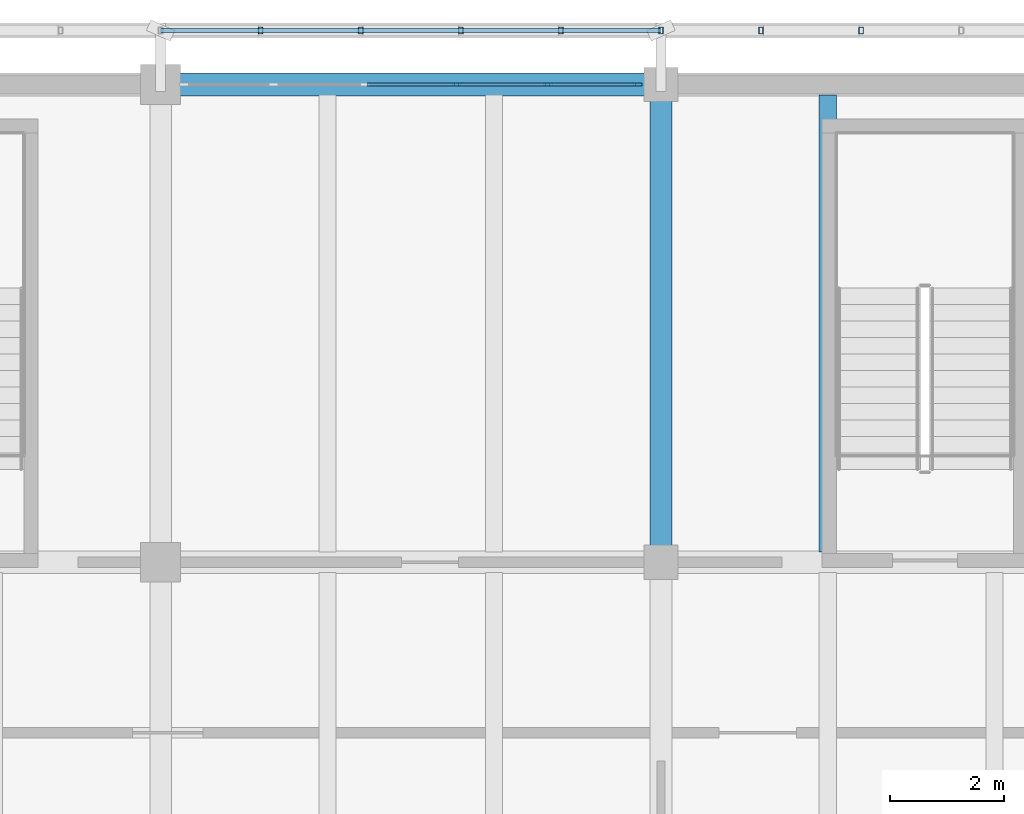
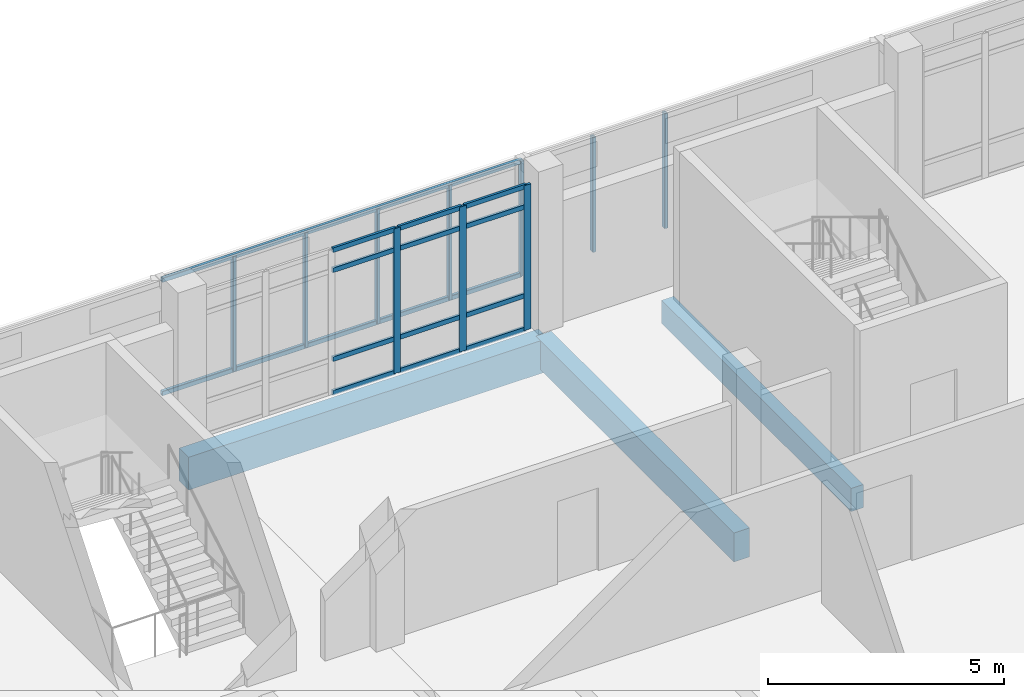
# One storey, part 76 of 137: 24 members, 3 beams, 1 element without a shape of its own.
"""IFC4 building model written with IfcOpenShell, lengths in metres."""

from ifc_helpers import new_model, si_unit, direction, frame, origin, origin_2d, place, context, subcontext, project, spatial, rectangle, hollow_rectangle, extrude, material, material_profile, profile_set, type_object, element, aggregate, save


model = new_model("IFC4")

# Units and contexts
model_context = context("Model", 3, precision=1e-05, world=origin(), true_north=direction((0.0, 1.0)))
body_context = subcontext(model_context, "Body", "Model", "MODEL_VIEW")
ifc_project = project(units=[si_unit("LENGTHUNIT", "METRE"), si_unit("AREAUNIT", "SQUARE_METRE"), si_unit("VOLUMEUNIT", "CUBIC_METRE"), si_unit("PLANEANGLEUNIT", "RADIAN"), si_unit("MASSUNIT", "GRAM", prefix="KILO")], contexts=[model_context])

# Site, building, storey
site_placement = place(None, origin())
site = spatial("IfcSite", under=ifc_project, at=site_placement, CompositionType="ELEMENT")
building_placement = place(site_placement, origin())
building = spatial("IfcBuilding", under=site, at=building_placement, Name="Cinderway Yard Community Centre", CompositionType="ELEMENT")
storey_placement = place(building_placement, frame((0.0, 0.0, 4.800048828125)))
storey = spatial("IfcBuildingStorey", under=building, at=storey_placement, Name="L01", CompositionType="ELEMENT", Elevation=4.800048828125)

# Curtain wall, members
ifc_material_1 = material(Name="Aluminium 6063-T6", Category="aluminium")
curtain_wall_type = type_object("IfcCurtainWallType", Name="ENV-CW-TYPE-27", PredefinedType="USERDEFINED", material=ifc_material_1)
curtain_wall_placement = place(storey_placement, origin())
curtain_wall = element("IfcCurtainWall", 1, at=curtain_wall_placement, inside=storey, type_object=curtain_wall_type, Name="V4 Street Curtain Wall ENV-CW-L01-ST-0135", ObjectType="GLAZED CURTAIN WALL", PredefinedType="USERDEFINED")
ifc_material_profile_1 = material_profile(ifc_material_1, rectangle(XDim=0.06005859375, YDim=0.159912109375, at=origin_2d()), Name="Aluminium 6063-T6")
ifc_profile_set_1 = profile_set([ifc_material_profile_1], Name="Aluminium 6063-T6")
member_type_1 = type_object("IfcMemberType", Name="ENV-CW-MULL-150", PredefinedType="MULLION", material=ifc_profile_set_1)
member_1_placement = place(storey_placement, frame((124.404052734375, 115.199951171875, 0.0), z_axis=(0.0, 0.0, 1.0), x_axis=(0.0, 1.0, 0.0)))
member_1 = element("IfcMember", 2, at=member_1_placement, type_object=member_type_1, Name="CW-27 mullion 4", PredefinedType="MULLION", context=body_context, shape_type="SweptSolid", body=[
    extrude(rectangle(XDim=0.06005859375, YDim=0.159912109375, at=origin_2d()), origin(), (0.0, 0.0, 1.0), 3.75),
])
member_2_placement = place(storey_placement, frame((126.011962890625, 115.199951171875, 0.0), z_axis=(0.0, 0.0, 1.0), x_axis=(0.0, 1.0, 0.0)))
member_2 = element("IfcMember", 3, at=member_2_placement, type_object=member_type_1, Name="CW-27 mullion 5", PredefinedType="MULLION", context=body_context, shape_type="SweptSolid", body=[
    extrude(rectangle(XDim=0.06005859375, YDim=0.159912109375, at=origin_2d()), origin(), (0.0, 0.0, 1.0), 3.75),
])
member_3_placement = place(storey_placement, frame((127.590087890625, 115.199951171875, 0.0), z_axis=(0.0, 0.0, 1.0), x_axis=(0.0, 1.0, 0.0)))
member_3 = element("IfcMember", 4, at=member_3_placement, type_object=member_type_1, Name="CW-27 mullion 6", PredefinedType="MULLION", context=body_context, shape_type="SweptSolid", body=[
    extrude(rectangle(XDim=0.06005859375, YDim=0.159912109375, at=origin_2d()), origin(), (0.0, 0.0, 1.0), 3.75),
])
ifc_material_profile_2 = material_profile(ifc_material_1, rectangle(XDim=0.06005859375, YDim=0.1201171875, at=origin_2d()), Name="Aluminium 6063-T6")
ifc_profile_set_2 = profile_set([ifc_material_profile_2], Name="Aluminium 6063-T6")
member_type_2 = type_object("IfcMemberType", Name="ENV-CW-TRAN-110", PredefinedType="USERDEFINED", material=ifc_profile_set_2)
member_4_placement = place(storey_placement, frame((122.825927734375, 115.199951171875, 0.030029296875), z_axis=(1.0, 0.0, 0.0), x_axis=(0.0, 1.0, 0.0)))
member_4 = element("IfcMember", 5, at=member_4_placement, type_object=member_type_2, Name="CW-27 transom 3.1", ObjectType="TRANSOM", PredefinedType="USERDEFINED", context=body_context, shape_type="SweptSolid", body=[
    extrude(rectangle(XDim=0.06005859375, YDim=0.1201171875, at=origin_2d()), origin(), (0.0, 0.0, 1.0), 1.548095703125),
])
member_5_placement = place(storey_placement, frame((122.825927734375, 115.199951171875, 0.89990234375), z_axis=(1.0, 0.0, 0.0), x_axis=(0.0, 1.0, 0.0)))
member_5 = element("IfcMember", 6, at=member_5_placement, type_object=member_type_2, Name="CW-27 transom 3.2", ObjectType="TRANSOM", PredefinedType="USERDEFINED", context=body_context, shape_type="SweptSolid", body=[
    extrude(rectangle(XDim=0.06005859375, YDim=0.1201171875, at=origin_2d()), origin(), (0.0, 0.0, 1.0), 1.548095703125),
])
member_6_placement = place(storey_placement, frame((122.825927734375, 115.199951171875, 3.199951171875), z_axis=(1.0, 0.0, 0.0), x_axis=(0.0, 1.0, 0.0)))
member_6 = element("IfcMember", 7, at=member_6_placement, type_object=member_type_2, Name="CW-27 transom 3.3", ObjectType="TRANSOM", PredefinedType="USERDEFINED", context=body_context, shape_type="SweptSolid", body=[
    extrude(rectangle(XDim=0.06005859375, YDim=0.1201171875, at=origin_2d()), origin(), (0.0, 0.0, 1.0), 1.548095703125),
])
member_7_placement = place(storey_placement, frame((122.825927734375, 115.199951171875, 3.719970703125), z_axis=(1.0, 0.0, 0.0), x_axis=(0.0, 1.0, 0.0)))
member_7 = element("IfcMember", 8, at=member_7_placement, type_object=member_type_2, Name="CW-27 transom 3.4", ObjectType="TRANSOM", PredefinedType="USERDEFINED", context=body_context, shape_type="SweptSolid", body=[
    extrude(rectangle(XDim=0.06005859375, YDim=0.1201171875, at=origin_2d()), origin(), (0.0, 0.0, 1.0), 1.548095703125),
])
member_8_placement = place(storey_placement, frame((124.43408203125, 115.199951171875, 0.030029296875), z_axis=(1.0, 0.0, 0.0), x_axis=(0.0, 1.0, 0.0)))
member_8 = element("IfcMember", 9, at=member_8_placement, type_object=member_type_2, Name="CW-27 transom 4.1", ObjectType="TRANSOM", PredefinedType="USERDEFINED", context=body_context, shape_type="SweptSolid", body=[
    extrude(rectangle(XDim=0.06005859375, YDim=0.1201171875, at=origin_2d()), origin(), (0.0, 0.0, 1.0), 1.5478515625),
])
member_9_placement = place(storey_placement, frame((124.43408203125, 115.199951171875, 0.89990234375), z_axis=(1.0, 0.0, 0.0), x_axis=(0.0, 1.0, 0.0)))
member_9 = element("IfcMember", 10, at=member_9_placement, type_object=member_type_2, Name="CW-27 transom 4.2", ObjectType="TRANSOM", PredefinedType="USERDEFINED", context=body_context, shape_type="SweptSolid", body=[
    extrude(rectangle(XDim=0.06005859375, YDim=0.1201171875, at=origin_2d()), origin(), (0.0, 0.0, 1.0), 1.5478515625),
])
member_10_placement = place(storey_placement, frame((124.43408203125, 115.199951171875, 3.199951171875), z_axis=(1.0, 0.0, 0.0), x_axis=(0.0, 1.0, 0.0)))
member_10 = element("IfcMember", 11, at=member_10_placement, type_object=member_type_2, Name="CW-27 transom 4.3", ObjectType="TRANSOM", PredefinedType="USERDEFINED", context=body_context, shape_type="SweptSolid", body=[
    extrude(rectangle(XDim=0.06005859375, YDim=0.1201171875, at=origin_2d()), origin(), (0.0, 0.0, 1.0), 1.5478515625),
])
member_11_placement = place(storey_placement, frame((124.43408203125, 115.199951171875, 3.719970703125), z_axis=(1.0, 0.0, 0.0), x_axis=(0.0, 1.0, 0.0)))
member_11 = element("IfcMember", 12, at=member_11_placement, type_object=member_type_2, Name="CW-27 transom 4.4", ObjectType="TRANSOM", PredefinedType="USERDEFINED", context=body_context, shape_type="SweptSolid", body=[
    extrude(rectangle(XDim=0.06005859375, YDim=0.1201171875, at=origin_2d()), origin(), (0.0, 0.0, 1.0), 1.5478515625),
])
member_12_placement = place(storey_placement, frame((126.0419921875, 115.199951171875, 0.030029296875), z_axis=(1.0, 0.0, 0.0), x_axis=(0.0, 1.0, 0.0)))
member_12 = element("IfcMember", 13, at=member_12_placement, type_object=member_type_2, Name="CW-27 transom 5.1", ObjectType="TRANSOM", PredefinedType="USERDEFINED", context=body_context, shape_type="SweptSolid", body=[
    extrude(rectangle(XDim=0.06005859375, YDim=0.1201171875, at=origin_2d()), origin(), (0.0, 0.0, 1.0), 1.51806640625),
])
member_13_placement = place(storey_placement, frame((126.0419921875, 115.199951171875, 0.89990234375), z_axis=(1.0, 0.0, 0.0), x_axis=(0.0, 1.0, 0.0)))
member_13 = element("IfcMember", 14, at=member_13_placement, type_object=member_type_2, Name="CW-27 transom 5.2", ObjectType="TRANSOM", PredefinedType="USERDEFINED", context=body_context, shape_type="SweptSolid", body=[
    extrude(rectangle(XDim=0.06005859375, YDim=0.1201171875, at=origin_2d()), origin(), (0.0, 0.0, 1.0), 1.51806640625),
])
member_14_placement = place(storey_placement, frame((126.0419921875, 115.199951171875, 3.199951171875), z_axis=(1.0, 0.0, 0.0), x_axis=(0.0, 1.0, 0.0)))
member_14 = element("IfcMember", 15, at=member_14_placement, type_object=member_type_2, Name="CW-27 transom 5.3", ObjectType="TRANSOM", PredefinedType="USERDEFINED", context=body_context, shape_type="SweptSolid", body=[
    extrude(rectangle(XDim=0.06005859375, YDim=0.1201171875, at=origin_2d()), origin(), (0.0, 0.0, 1.0), 1.51806640625),
])
member_15_placement = place(storey_placement, frame((126.0419921875, 115.199951171875, 3.719970703125), z_axis=(1.0, 0.0, 0.0), x_axis=(0.0, 1.0, 0.0)))
member_15 = element("IfcMember", 16, at=member_15_placement, type_object=member_type_2, Name="CW-27 transom 5.4", ObjectType="TRANSOM", PredefinedType="USERDEFINED", context=body_context, shape_type="SweptSolid", body=[
    extrude(rectangle(XDim=0.06005859375, YDim=0.1201171875, at=origin_2d()), origin(), (0.0, 0.0, 1.0), 1.51806640625),
])
aggregate(curtain_wall, [member_1, member_2, member_3, member_4, member_5, member_6, member_7, member_8, member_9, member_10, member_11, member_12, member_13, member_14, member_15])

# Members
ifc_material_2 = material(Name="Steel S355", Category="steel")
ifc_material_profile_3 = material_profile(ifc_material_2, hollow_rectangle(XDim=0.080078125, YDim=0.1201171875, WallThickness=0.00634765625, InnerFilletRadius=0.00634765625, OuterFilletRadius=0.0126953125, at=origin_2d()), Name="Steel S355")
ifc_profile_set_3 = profile_set([ifc_material_profile_3], Name="Steel S355")
member_type_3 = type_object("IfcMemberType", Name="ENV-MEM-SCREEN-RAIL-120", PredefinedType="STRINGER", material=ifc_profile_set_3)
for number, where, z_axis, x_axis, name in (
    (17, (119.199951171875, 116.14990234375, 0.7099609375), (1.0, 0.0, 0.0), (0.0, 1.0, 0.0), "Screen support rail 0074-BOT"),
    (18, (119.199951171875, 116.14990234375, 3.639892578125), (1.0, 0.0, 0.0), (0.0, 1.0, 0.0), "Screen support rail 0075-TOP"),
):
    element("IfcMember", number, at=place(storey_placement, frame(where, z_axis=z_axis, x_axis=x_axis)), inside=storey, type_object=member_type_3, Name=name, PredefinedType="STRINGER", context=body_context, shape_type="SweptSolid", body=[
        extrude(hollow_rectangle(XDim=0.080078125, YDim=0.1201171875, WallThickness=0.00634765625, InnerFilletRadius=0.00634765625, OuterFilletRadius=0.0126953125, at=origin_2d()), origin(), (0.0, 0.0, 1.0), 8.800048828125),
    ])
for number, where, z_axis, x_axis, name in (
    (19, (120.9599609375, 116.14990234375, 0.68994140625), (0.0, 0.0, 1.0), (1.0, 0.0, 0.0), "Screen vertical mullion 0076"),
    (20, (122.719970703125, 116.14990234375, 0.68994140625), (0.0, 0.0, 1.0), (1.0, 0.0, 0.0), "Screen vertical mullion 0077"),
    (21, (124.47998046875, 116.14990234375, 0.68994140625), (0.0, 0.0, 1.0), (1.0, 0.0, 0.0), "Screen vertical mullion 0078"),
    (22, (126.239990234375, 116.14990234375, 0.68994140625), (0.0, 0.0, 1.0), (1.0, 0.0, 0.0), "Screen vertical mullion 0079"),
    (23, (128.0, 116.14990234375, 0.68994140625), (0.0, 0.0, 1.0), (1.0, 0.0, 0.0), "Screen vertical mullion 0080"),
    (24, (129.760009765625, 116.14990234375, 0.68994140625), (0.0, 0.0, 1.0), (1.0, 0.0, 0.0), "Screen vertical mullion 0084"),
    (25, (131.52001953125, 116.14990234375, 0.68994140625), (0.0, 0.0, 1.0), (1.0, 0.0, 0.0), "Screen vertical mullion 0085"),
):
    element("IfcMember", number, at=place(storey_placement, frame(where, z_axis=z_axis, x_axis=x_axis)), inside=storey, type_object=member_type_3, Name=name, PredefinedType="STRINGER", context=body_context, shape_type="SweptSolid", body=[
        extrude(hollow_rectangle(XDim=0.080078125, YDim=0.1201171875, WallThickness=0.00634765625, InnerFilletRadius=0.00634765625, OuterFilletRadius=0.0126953125, at=origin_2d()), origin(), (0.0, 0.0, 1.0), 2.969970703125),
    ])

# Beams
ifc_material_3 = material(Name="Concrete C35/45", Category="concrete")
ifc_material_profile_4 = material_profile(ifc_material_3, rectangle(XDim=0.300048828125, YDim=0.60009765625, at=origin_2d()), Name="Concrete C35/45")
ifc_profile_set_4 = profile_set([ifc_material_profile_4], Name="Concrete C35/45")
beam_type_1 = type_object("IfcBeamType", Name="STR-BM-RC300X600", PredefinedType="JOIST", material=ifc_profile_set_4)
beam_1_placement = place(storey_placement, frame((130.93310546875, 106.98193359375, -0.56005859375), z_axis=(0.0, 1.0, 0.0), x_axis=(-1.0, 0.0, 0.0)))
element("IfcBeam", 26, at=beam_1_placement, inside=storey, type_object=beam_type_1, Name="Secondary joist STR-BM-L01-BJ02-0318", PredefinedType="JOIST", context=body_context, shape_type="SweptSolid", body=[
    extrude(rectangle(XDim=0.300048828125, YDim=0.60009765625, at=origin_2d()), origin(), (0.0, 0.0, 1.0), 8.0361328125),
])
ifc_material_profile_5 = material_profile(ifc_material_3, rectangle(XDim=0.3798828125, YDim=0.75, at=origin_2d()), Name="Concrete C35/45")
ifc_profile_set_5 = profile_set([ifc_material_profile_5], Name="Concrete C35/45")
beam_type_2 = type_object("IfcBeamType", Name="STR-BM-RC380X750", PredefinedType="BEAM", material=ifc_profile_set_5)
beam_2_placement = place(storey_placement, frame((128.0, 106.800048828125, -0.635009765625), z_axis=(0.0, 1.0, 0.0), x_axis=(-1.0, 0.0, 0.0)))
element("IfcBeam", 27, at=beam_2_placement, inside=storey, type_object=beam_type_2, Name="Transverse girder STR-BM-L01-BG06-0252", PredefinedType="BEAM", context=body_context, shape_type="SweptSolid", body=[
    extrude(rectangle(XDim=0.3798828125, YDim=0.75, at=origin_2d()), origin(), (0.0, 0.0, 1.0), 8.39990234375),
])
ifc_material_4 = material(Name="Concrete C40/50", Category="concrete")
ifc_material_profile_6 = material_profile(ifc_material_4, rectangle(XDim=0.39990234375, YDim=0.85009765625, at=origin_2d()), Name="Concrete C40/50")
ifc_profile_set_6 = profile_set([ifc_material_profile_6], Name="Concrete C40/50")
beam_type_3 = type_object("IfcBeamType", Name="STR-BM-RC400X850", PredefinedType="BEAM", material=ifc_profile_set_6)
beam_3_placement = place(storey_placement, frame((119.199951171875, 115.199951171875, -0.68505859375), z_axis=(1.0, 0.0, 0.0), x_axis=(0.0, 1.0, 0.0)))
element("IfcBeam", 28, at=beam_3_placement, inside=storey, type_object=beam_type_3, Name="Primary girder STR-BM-L01-BG04-0217", PredefinedType="BEAM", context=body_context, shape_type="SweptSolid", body=[
    extrude(rectangle(XDim=0.39990234375, YDim=0.85009765625, at=origin_2d()), origin(), (0.0, 0.0, 1.0), 8.800048828125),
])

save(model, "model.ifc")
